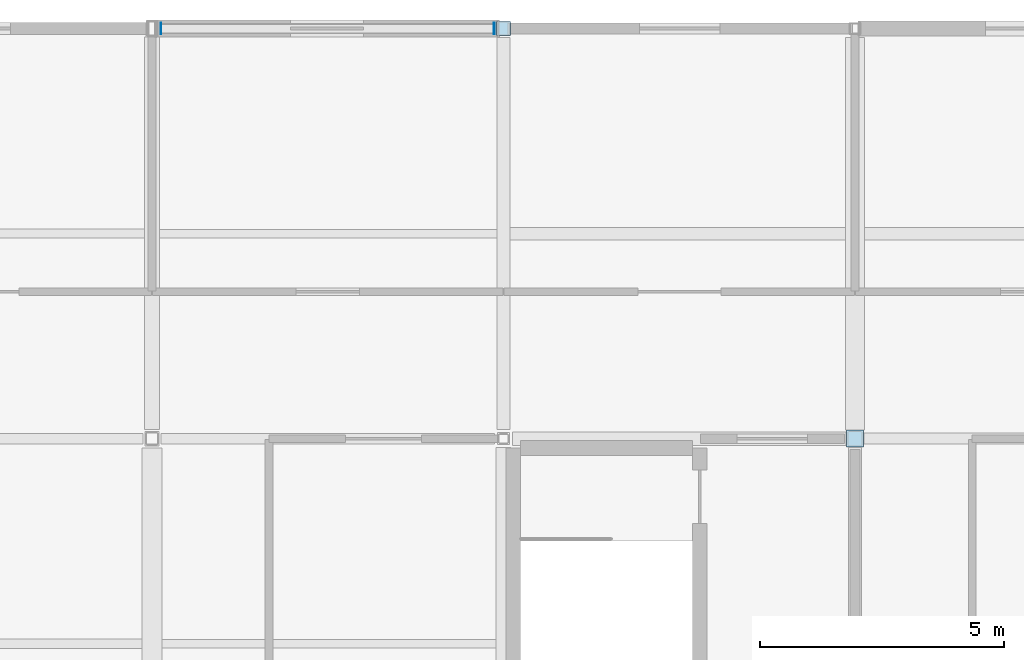
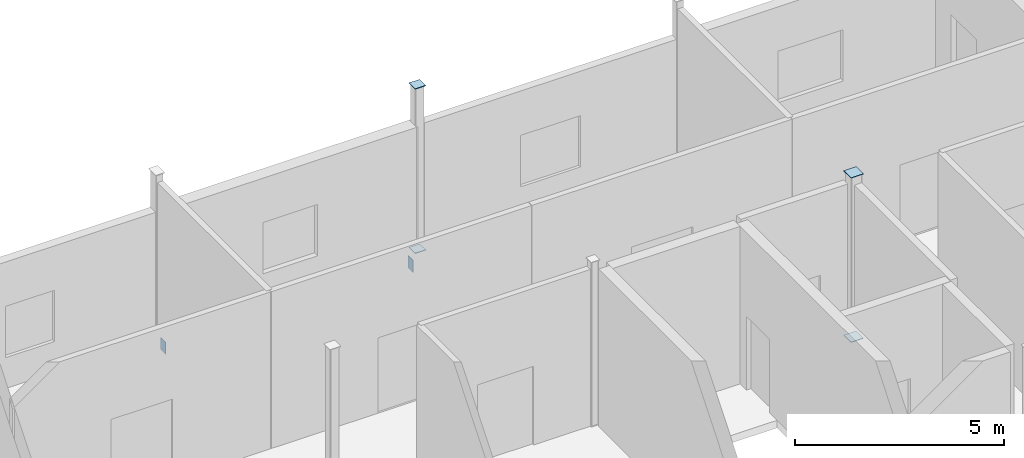
# One storey, part 17 of 27: 6 plates.
"""IFC4 building model written with IfcOpenShell, lengths in metres."""

import ifcopenshell
import ifcopenshell.guid

model = None  # the IFC model being written
_history = None  # IfcOwnerHistory: only IFC2X3 demands one
_inside = {}  # id of a spatial element -> (the spatial element, [elements in it])
_under = {}  # id of a project, library or spatial element -> (it, [spatial elements below it])
_declared = {}  # id of a project -> (the project, [libraries it declares])
_typed = {}  # id of a type object -> (the type object, [elements of that type])
_made_of = {}  # id of a material, layer set ... -> (it, [elements and type objects made of it])


def new_model(schema):
    """Start an empty IFC model of exactly this schema.

    Asked for "IFC4X3", IfcOpenShell would pick the latest addendum, in which some entities
    have other attributes; the version numbers below select the first issue.
    IFC2X3 requires an IfcOwnerHistory on every rooted entity: one is made here for all.
    """
    global model, _history
    if schema == "IFC4X3":
        model = ifcopenshell.file(schema_version=(4, 3, 0, 0))
    else:
        model = ifcopenshell.file(schema=schema)
    _inside.clear()
    _under.clear()
    _declared.clear()
    _typed.clear()
    _made_of.clear()
    _history = None
    if model.schema == "IFC2X3":
        org = make("IfcOrganization", Name="unknown")
        user = make(
            "IfcPersonAndOrganization",
            ThePerson=make("IfcPerson", FamilyName="unknown"),
            TheOrganization=org,
        )
        app = make(
            "IfcApplication",
            ApplicationDeveloper=org,
            Version="unknown",
            ApplicationFullName="unknown",
            ApplicationIdentifier="unknown",
        )
        _history = make(
            "IfcOwnerHistory",
            OwningUser=user,
            OwningApplication=app,
            ChangeAction="ADDED",
            CreationDate=0,
        )
    return model


def make(cls, **values):
    """One entity of the class cls with the attributes given. An attribute that is None is left unset."""
    return model.create_entity(
        cls, **{name: value for name, value in values.items() if value is not None}
    )


def rooted(cls, **values):
    """An entity with a GlobalId (a new one), such as an element, a storey or a relation."""
    return make(cls, GlobalId=ifcopenshell.guid.new(), OwnerHistory=_history, **values)


def si_unit(unit_type, name, prefix=None):
    """IfcSIUnit, for example si_unit("LENGTHUNIT", "METRE", prefix="MILLI")."""
    return make("IfcSIUnit", UnitType=unit_type, Prefix=prefix, Name=name)


def assignment(units):
    """IfcUnitAssignment: the units of a project."""
    return None if units is None else make("IfcUnitAssignment", Units=units)


def point(xyz):
    """IfcCartesianPoint."""
    return None if xyz is None else make("IfcCartesianPoint", Coordinates=xyz)


def direction(xyz):
    """IfcDirection."""
    return None if xyz is None else make("IfcDirection", DirectionRatios=xyz)


def frame(location, z_axis=None, x_axis=None):
    """IfcAxis2Placement3D, a coordinate frame: its origin and axes. An axis left out is left unset."""
    return make(
        "IfcAxis2Placement3D",
        Location=point(location),
        Axis=direction(z_axis),
        RefDirection=direction(x_axis),
    )


def frame_2d(location, x_axis=None):
    """IfcAxis2Placement2D, a coordinate frame in the plane: its origin and x axis."""
    return make(
        "IfcAxis2Placement2D", Location=point(location), RefDirection=direction(x_axis)
    )


def origin():
    """The frame at (0, 0, 0) with its axes left unset."""
    return frame((0.0, 0.0, 0.0))


def origin_2d():
    """The frame at (0, 0) in the plane with its x axis left unset."""
    return frame_2d((0.0, 0.0))


def place(relative_to, where):
    """IfcLocalPlacement: puts the frame where relative to a parent placement (None: the world)."""
    return make(
        "IfcLocalPlacement", PlacementRelTo=relative_to, RelativePlacement=where
    )


def context(
    kind, dimensions, precision=None, world=None, true_north=None, identifier=None
):
    """IfcGeometricRepresentationContext, for example the 3D "Model" context."""
    return make(
        "IfcGeometricRepresentationContext",
        ContextIdentifier=identifier,
        ContextType=kind,
        CoordinateSpaceDimension=dimensions,
        Precision=precision,
        WorldCoordinateSystem=world,
        TrueNorth=true_north,
    )


def subcontext(parent, identifier, kind, view, scale=None):
    """IfcGeometricRepresentationSubContext, for example "Body" below "Model"."""
    return make(
        "IfcGeometricRepresentationSubContext",
        ContextIdentifier=identifier,
        ContextType=kind,
        ParentContext=parent,
        TargetScale=scale,
        TargetView=view,
    )


def project(units=None, contexts=None):
    """IfcProject with its units and contexts."""
    return rooted(
        "IfcProject",
        Name="project",
        RepresentationContexts=contexts,
        UnitsInContext=assignment(units),
    )


def spatial(cls, under=None, at=None, **own):
    """A site, building, storey or space (cls), placed at a placement, below another one or the project."""
    s = rooted(cls, ObjectPlacement=at, **own)
    if under is not None:
        _under.setdefault(under.id(), (under, []))[1].append(s)
    return s


def profile(cls, at=None, kind="AREA", **sizes):
    """A parametric profile (cls). Its sizes go by their IFC names, for example OverallWidth=200.0."""
    return make(cls, ProfileType=kind, Position=at, **sizes)


def rectangle(**sizes):
    """IfcRectangleProfileDef."""
    return profile("IfcRectangleProfileDef", **sizes)


def extrude(swept, where, along, depth):
    """IfcExtrudedAreaSolid: the profile swept, set in the frame where, extruded along a direction by depth."""
    return make(
        "IfcExtrudedAreaSolid",
        SweptArea=swept,
        Position=where,
        ExtrudedDirection=direction(along),
        Depth=depth,
    )


def shape(context_of_items, identifier, shape_type, items):
    """IfcShapeRepresentation: the items that make up one representation, for example the "Body"."""
    return make(
        "IfcShapeRepresentation",
        ContextOfItems=context_of_items,
        RepresentationIdentifier=identifier,
        RepresentationType=shape_type,
        Items=items,
    )


def material(Name=None, Category=None):
    """IfcMaterial."""
    return make("IfcMaterial", Name=Name, Category=Category)


def layer(
    of_material, thickness, ventilated=None, Name=None, Category=None, Priority=None
):
    """IfcMaterialLayer: one layer of a wall or slab, of a material (None: an air gap)."""
    return make(
        "IfcMaterialLayer",
        Material=of_material,
        LayerThickness=thickness,
        IsVentilated=ventilated,
        Name=Name,
        Category=Category,
        Priority=Priority,
    )


def layer_set(layers, Name=None):
    """IfcMaterialLayerSet."""
    return make("IfcMaterialLayerSet", MaterialLayers=layers, LayerSetName=Name)


def made_of(thing, what):
    """Note that an element or type object is made of a material, layer set ...; save() writes the relation."""
    if what is not None:
        _made_of.setdefault(what.id(), (what, []))[1].append(thing)
    return thing


def type_object(cls, material=None, **own):
    """A type object (cls), such as IfcWallType, which elements share."""
    return made_of(rooted(cls, **own), material)


def element(
    cls,
    number,
    at=None,
    inside=None,
    cuts=None,
    type_object=None,
    material=None,
    context=None,
    identifier="Body",
    shape_type=None,
    held_by="IfcProductDefinitionShape",
    body=None,
    shapes=None,
    **own,
):
    """One element of the class cls, such as IfcWall. Its Tag is "e" and its number.

    at: its placement. inside: the storey or other place that contains it. cuts: it is an
    opening in that element (IfcRelVoidsElement). A single representation is given by context,
    identifier, shape_type and body (its items); several are given by shapes. held_by: the class
    of the entity that holds the representations. save() writes the other relations.
    """
    e = rooted(cls, Tag="e%d" % number, ObjectPlacement=at, **own)
    if body is not None:
        shapes = [shape(context, identifier, shape_type, body)]
    if shapes is not None:
        e.Representation = make(held_by, Representations=shapes)
    if inside is not None:
        _inside.setdefault(inside.id(), (inside, []))[1].append(e)
    if cuts is not None:
        rooted(
            "IfcRelVoidsElement", RelatingBuildingElement=cuts, RelatedOpeningElement=e
        )
    if type_object is not None:
        _typed.setdefault(type_object.id(), (type_object, []))[1].append(e)
    return made_of(e, material)


def aggregate(whole, parts):
    """IfcRelAggregates: a whole, such as a stair, and the parts it consists of."""
    return rooted("IfcRelAggregates", RelatingObject=whole, RelatedObjects=parts)


def save(model, path):
    """Write the relations noted so far, then the file.

    IfcRelAggregates (storeys below a building ...), IfcRelContainedInSpatialStructure (elements
    in a storey), IfcRelDefinesByType, IfcRelAssociatesMaterial and IfcRelDeclares: one each for
    every whole, place, type object, material and project.
    """
    for whole, parts in _under.values():
        aggregate(whole, parts)
    for where, things in _inside.values():
        rooted(
            "IfcRelContainedInSpatialStructure",
            RelatedElements=things,
            RelatingStructure=where,
        )
    for kind, things in _typed.values():
        rooted("IfcRelDefinesByType", RelatedObjects=things, RelatingType=kind)
    for what, things in _made_of.values():
        rooted("IfcRelAssociatesMaterial", RelatedObjects=things, RelatingMaterial=what)
    for by, libraries in _declared.values():
        rooted("IfcRelDeclares", RelatingContext=by, RelatedDefinitions=libraries)
    model.write(path)


model = new_model("IFC4")

# Units and contexts
model_context = context("Model", 3, precision=1e-05, world=origin(), true_north=direction((0.0, 1.0)))
body_context = subcontext(model_context, "Body", "Model", "MODEL_VIEW")
ifc_project = project(units=[si_unit("LENGTHUNIT", "METRE"), si_unit("AREAUNIT", "SQUARE_METRE"), si_unit("VOLUMEUNIT", "CUBIC_METRE"), si_unit("PLANEANGLEUNIT", "RADIAN"), si_unit("MASSUNIT", "GRAM", prefix="KILO")], contexts=[model_context])

# Site, building, storey
site_placement = place(None, origin())
site = spatial("IfcSite", under=ifc_project, at=site_placement, CompositionType="ELEMENT")
building_placement = place(site_placement, origin())
building = spatial("IfcBuilding", under=site, at=building_placement, Name="Calvrana Isthmian Art Gallery", CompositionType="ELEMENT")
storey_placement = place(building_placement, frame((0.0, 0.0, 24.60009765625)))
storey = spatial("IfcBuildingStorey", under=building, at=storey_placement, Name="L05", CompositionType="ELEMENT", Elevation=24.60009765625)

# Plates
ifc_material = material(Name="Steel ASTM A572 Gr 50", Category="steel")
ifc_layer = layer(ifc_material, 0.01611328125, Name="Steel ASTM A572 Gr 50")
ifc_layer_set = layer_set([ifc_layer], Name="Steel ASTM A572 Gr 50")
plate_type = type_object("IfcPlateType", Name="PL-CAP-16", PredefinedType="SHEET", material=ifc_layer_set)
for number, where, z_axis, x_axis, name in (
    (1, (127.199951171875, 46.800048828125, -0.008056640625), (0.0, 0.0, 1.0), (1.0, 0.0, 0.0), "Hollow section end cap plate 303"),
    (2, (127.199951171875, 46.800048828125, 4.791748046875), (0.0, 0.0, 1.0), (1.0, 0.0, 0.0), "Hollow section end cap plate 304"),
):
    element("IfcPlate", number, at=place(storey_placement, frame(where, z_axis=z_axis, x_axis=x_axis)), inside=storey, type_object=plate_type, Name=name, PredefinedType="SHEET", context=body_context, shape_type="SweptSolid", body=[
        extrude(rectangle(XDim=0.2939453125, YDim=0.2939453125, at=origin_2d()), origin(), (0.0, 0.0, 1.0), 0.01611328125),
    ])
for number, where, z_axis, x_axis, name in (
    (3, (134.39990234375, 38.39990234375, -0.008056640625), (0.0, 0.0, 1.0), (1.0, 0.0, 0.0), "Hollow section end cap plate 315"),
    (4, (134.39990234375, 38.39990234375, 4.791748046875), (0.0, 0.0, 1.0), (1.0, 0.0, 0.0), "Hollow section end cap plate 316"),
):
    element("IfcPlate", number, at=place(storey_placement, frame(where, z_axis=z_axis, x_axis=x_axis)), inside=storey, type_object=plate_type, Name=name, PredefinedType="SHEET", context=body_context, shape_type="SweptSolid", body=[
        extrude(rectangle(XDim=0.3447265625, YDim=0.3447265625, at=origin_2d()), origin(), (0.0, 0.0, 1.0), 0.01611328125),
    ])
for number, where, z_axis, x_axis, name in (
    (5, (120.18408203125, 46.800048828125, -0.5498046875), (0.0, 0.0, 1.0), (1.0, 0.0, 0.0), "Hollow section end cap plate 503"),
    (6, (127.013427734375, 46.800048828125, -0.5498046875), (0.0, 0.0, 1.0), (1.0, 0.0, 0.0), "Hollow section end cap plate 504"),
):
    element("IfcPlate", number, at=place(storey_placement, frame(where, z_axis=z_axis, x_axis=x_axis)), inside=storey, type_object=plate_type, Name=name, PredefinedType="SHEET", context=body_context, shape_type="SweptSolid", body=[
        extrude(rectangle(XDim=0.01611328125, YDim=0.2431640625, at=origin_2d()), origin(), (0.0, 0.0, 1.0), 0.3447265625),
    ])

save(model, "model.ifc")
